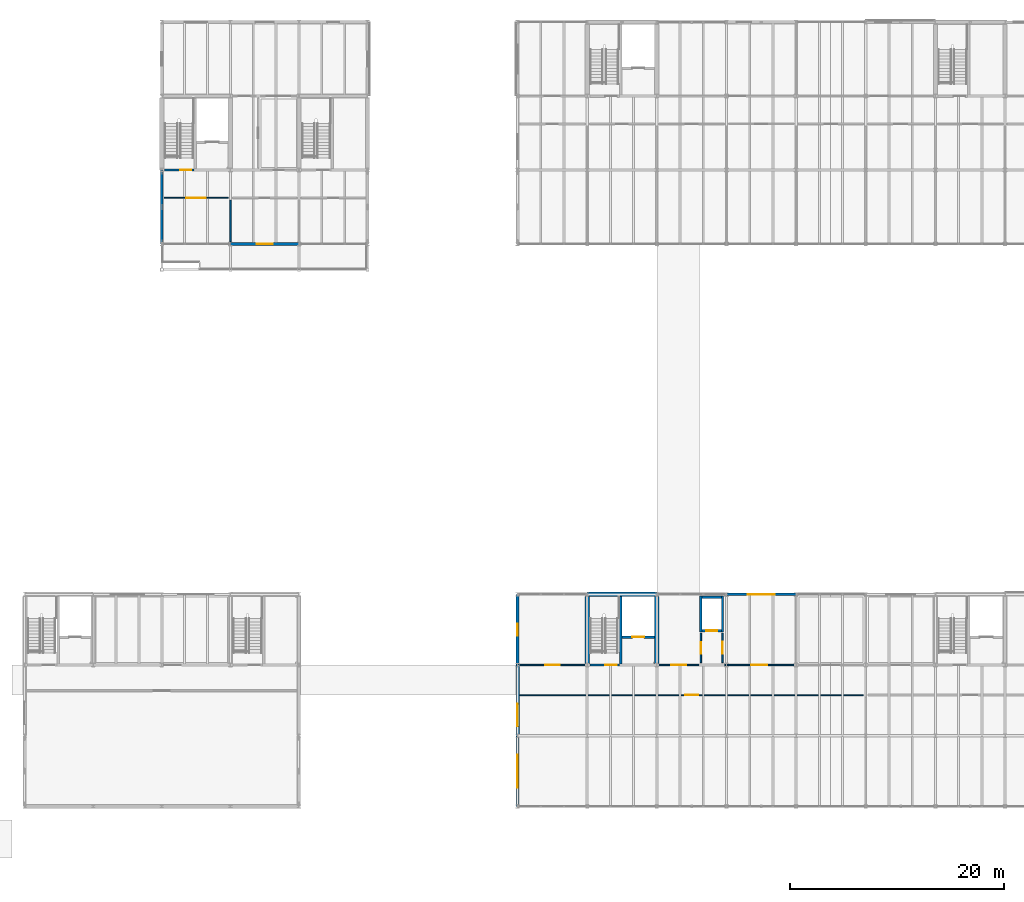
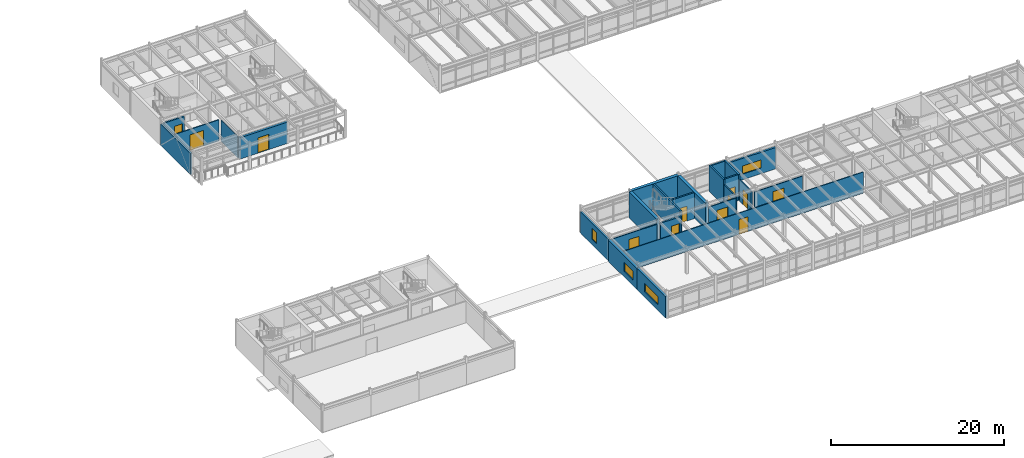
# One storey, part 38 of 49: 25 walls, 12 doors, 4 windows, 16 openings.
"""IFC4 building model written with IfcOpenShell, lengths in metres."""

from ifc_helpers import new_model, si_unit, direction, frame, frame_2d, origin, place, context, subcontext, project, spatial, rectangle, extrude, material, layer, layer_set, type_object, element, fill, save


model = new_model("IFC4")

# Units and contexts
model_context = context("Model", 3, precision=1e-05, world=origin(), true_north=direction((0.0, 1.0)))
body_context = subcontext(model_context, "Body", "Model", "MODEL_VIEW")
ifc_project = project(units=[si_unit("LENGTHUNIT", "METRE"), si_unit("AREAUNIT", "SQUARE_METRE"), si_unit("VOLUMEUNIT", "CUBIC_METRE"), si_unit("PLANEANGLEUNIT", "RADIAN"), si_unit("MASSUNIT", "GRAM", prefix="KILO")], contexts=[model_context])

# Site, building, storey
site_placement = place(None, origin())
site = spatial("IfcSite", under=ifc_project, at=site_placement, CompositionType="ELEMENT")
building_placement = place(site_placement, origin())
building = spatial("IfcBuilding", under=site, at=building_placement, Name="Trelmorton Wharf Fire Station", CompositionType="ELEMENT")
storey_placement = place(building_placement, frame((0.0, 0.0, 9.60009765625)))
storey = spatial("IfcBuildingStorey", under=building, at=storey_placement, Name="L02", CompositionType="ELEMENT", Elevation=9.60009765625)

# Wall
ifc_material_1 = material(Name="Precast concrete 45 MPa", Category="concrete")
ifc_layer_1 = layer(ifc_material_1, 0.22998046875)
ifc_layer_set_1 = layer_set([ifc_layer_1], Name="Precast concrete 45 MPa")
wall_type_1 = type_object("IfcWallType", Name="EW_PREC_230", PredefinedType="SOLIDWALL", material=ifc_layer_set_1)
wall_1_placement = place(storey_placement, frame((70.800048828125, 60.304931640625, 0.0), z_axis=(0.0, 0.0, 1.0), x_axis=(0.0, 1.0, 0.0)))
element("IfcWall", 1, at=wall_1_placement, inside=storey, type_object=wall_type_1, Name="EW-V2-L02-0174", PredefinedType="SOLIDWALL", context=body_context, shape_type="SweptSolid", body=[
    extrude(rectangle(XDim=6.89013671875, YDim=0.22998046875, at=frame_2d((3.445068359375, 0.0))), origin(), (0.0, 0.0, 1.0), 3.02001953125),
])

# Wall, opening, window
ifc_layer_2 = layer(ifc_material_1, 0.25)
ifc_layer_set_2 = layer_set([ifc_layer_2], Name="Precast concrete 45 MPa")
wall_type_2 = type_object("IfcWallType", Name="EW_PREC_250", PredefinedType="SOLIDWALL", material=ifc_layer_set_2)
wall_2_placement = place(storey_placement, frame((123.5048828125, 27.60009765625, 0.0), z_axis=(0.0, 0.0, 1.0), x_axis=(1.0, 0.0, 0.0)))
wall_2 = element("IfcWall", 2, at=wall_2_placement, inside=storey, type_object=wall_type_2, Name="EW-V5-L02-0091", PredefinedType="SOLIDWALL", context=body_context, shape_type="SweptSolid", body=[
    extrude(rectangle(XDim=6.490234375, YDim=0.25, at=frame_2d((3.2451171875, 0.0))), origin(), (0.0, 0.0, 1.0), 3.02001953125),
])
opening_1_placement = place(wall_2_placement, frame((1.9951171875, 0.0, 0.800048828125)))
opening_1 = element("IfcOpeningElement", 3, at=opening_1_placement, cuts=wall_2, Name="Opening W26", PredefinedType="OPENING", context=body_context, shape_type="SweptSolid", body=[
    extrude(rectangle(XDim=2.5, YDim=1.14990234375, at=frame_2d((1.25, 0.574951171875))), frame((0.0, 0.135009765625, 0.0), z_axis=(0.0, -1.0, 0.0), x_axis=(1.0, 0.0, 0.0)), (0.0, 0.0, 1.0), 0.27001953125),
])
ifc_material_2 = material(Name="Tempered low-E double glazing", Category="glass")
window_type_1 = type_object("IfcWindowType", Name="WIN_W26", PartitioningType="TRIPLE_PANEL_VERTICAL", PredefinedType="WINDOW", material=ifc_material_2)
window_1_placement = place(opening_1_placement, origin())
window_1 = element("IfcWindow", 4, at=window_1_placement, inside=storey, type_object=window_type_1, Name="WN-V5-L02-0041", OverallHeight=1.14990234375, OverallWidth=2.5, PartitioningType="TRIPLE_PANEL_VERTICAL", PredefinedType="WINDOW", context=body_context, shape_type="SweptSolid", body=[
    extrude(rectangle(XDim=2.5, YDim=1.14990234375, at=frame_2d((1.25, 0.574951171875))), frame((0.0, 0.030029296875, 0.0), z_axis=(0.0, -1.0, 0.0), x_axis=(1.0, 0.0, 0.0)), (0.0, 0.0, 1.0), 0.06005859375),
])
fill(opening_1, window_1)

wall_3_placement = place(storey_placement, frame((104.0, 21.0048828125, 0.0), z_axis=(0.0, 0.0, 1.0), x_axis=(0.0, 1.0, 0.0)))
wall_3 = element("IfcWall", 5, at=wall_3_placement, inside=storey, type_object=wall_type_2, Name="EW-V5-L02-0097", PredefinedType="SOLIDWALL", context=body_context, shape_type="SweptSolid", body=[
    extrude(rectangle(XDim=6.590087890625, YDim=0.25, at=frame_2d((3.294921875, 0.0))), origin(), (0.0, 0.0, 1.0), 3.02001953125),
])
opening_2_placement = place(wall_3_placement, frame((2.7451171875, 0.0, 0.800048828125)))
opening_2 = element("IfcOpeningElement", 6, at=opening_2_placement, cuts=wall_3, Name="Opening W33", PredefinedType="OPENING", context=body_context, shape_type="SweptSolid", body=[
    extrude(rectangle(XDim=1.10009765625, YDim=1.5, at=frame_2d((0.550048828125, 0.75))), frame((0.0, 0.135009765625, 0.0), z_axis=(0.0, -1.0, 0.0), x_axis=(1.0, 0.0, 0.0)), (0.0, 0.0, 1.0), 0.27001953125),
])
window_type_2 = type_object("IfcWindowType", Name="WIN_W33", PartitioningType="SINGLE_PANEL", PredefinedType="WINDOW", material=ifc_material_2)
window_2_placement = place(opening_2_placement, origin())
window_2 = element("IfcWindow", 7, at=window_2_placement, inside=storey, type_object=window_type_2, Name="WN-V5-L02-0047", OverallHeight=1.5, OverallWidth=1.10009765625, PartitioningType="SINGLE_PANEL", PredefinedType="WINDOW", context=body_context, shape_type="SweptSolid", body=[
    extrude(rectangle(XDim=1.10009765625, YDim=1.5, at=frame_2d((0.550048828125, 0.75))), frame((0.0, 0.030029296875, 0.0), z_axis=(0.0, -1.0, 0.0), x_axis=(1.0, 0.0, 0.0)), (0.0, 0.0, 1.0), 0.06005859375),
])
fill(opening_2, window_2)

# Wall, opening, door
ifc_layer_3 = layer(ifc_material_1, 0.2900390625)
ifc_layer_set_3 = layer_set([ifc_layer_3], Name="Precast concrete 45 MPa")
wall_type_3 = type_object("IfcWallType", Name="EW_TERR_290", PredefinedType="SOLIDWALL", material=ifc_layer_set_3)
wall_4_placement = place(storey_placement, frame((83.594970703125, 60.300048828125, 0.0), z_axis=(0.0, 0.0, 1.0), x_axis=(-1.0, 0.0, 0.0)))
wall_4 = element("IfcWall", 8, at=wall_4_placement, inside=storey, type_object=wall_type_3, Name="EW-V2-L02-0171", PredefinedType="SOLIDWALL", context=body_context, shape_type="SweptSolid", body=[
    extrude(rectangle(XDim=6.389892578125, YDim=0.2900390625, at=frame_2d((3.19482421875, 0.0))), origin(), (0.0, 0.0, 1.0), 3.02001953125),
])
opening_3_placement = place(wall_4_placement, frame((2.455078125, 0.0, 0.0)))
opening_3 = element("IfcOpeningElement", 9, at=opening_3_placement, cuts=wall_4, Name="Opening TD-027", PredefinedType="OPENING", context=body_context, shape_type="SweptSolid", body=[
    extrude(rectangle(XDim=1.47998046875, YDim=2.159912109375, at=frame_2d((0.739990234375, 1.080078125))), frame((0.0, 0.155029296875, 0.0), z_axis=(0.0, -1.0, 0.0), x_axis=(1.0, 0.0, 0.0)), (0.0, 0.0, 1.0), 0.31005859375),
])
ifc_material_3 = material(Name="Anodised aluminium AW-6063", Category="aluminium")
door_type_1 = type_object("IfcDoorType", Name="DR_TER_DBL_148", OperationType="DOUBLE_DOOR_SINGLE_SWING", PredefinedType="DOOR", material=ifc_material_3)
door_1_placement = place(opening_3_placement, origin())
door_1 = element("IfcDoor", 10, at=door_1_placement, inside=storey, type_object=door_type_1, Name="Terrace Door TD-027", OperationType="DOUBLE_DOOR_SINGLE_SWING", OverallHeight=2.159912109375, OverallWidth=1.47998046875, PredefinedType="DOOR", context=body_context, shape_type="SweptSolid", body=[
    extrude(rectangle(XDim=1.47998046875, YDim=2.159912109375, at=frame_2d((0.739990234375, 1.080078125))), frame((0.0, 0.02490234375, 0.0), z_axis=(0.0, -1.0, 0.0), x_axis=(1.0, 0.0, 0.0)), (0.0, 0.0, 1.0), 0.050048828125),
])
fill(opening_3, door_1)

# Wall, opening, window
ifc_layer_4 = layer(ifc_material_1, 0.31005859375)
ifc_layer_set_4 = layer_set([ifc_layer_4], Name="Precast concrete 45 MPa")
wall_type_4 = type_object("IfcWallType", Name="EW_TERR_310", PredefinedType="SOLIDWALL", material=ifc_layer_set_4)
wall_5_placement = place(storey_placement, frame((104.0, 7.804931640625, 0.0), z_axis=(0.0, 0.0, 1.0), x_axis=(0.0, 1.0, 0.0)))
wall_5 = element("IfcWall", 11, at=wall_5_placement, inside=storey, type_object=wall_type_4, Name="EW-V5-L02-0094", PredefinedType="SOLIDWALL", context=body_context, shape_type="SweptSolid", body=[
    extrude(rectangle(XDim=6.590087890625, YDim=0.31005859375, at=frame_2d((3.294921875, 0.0))), origin(), (0.0, 0.0, 1.0), 3.02001953125),
])
opening_4_placement = place(wall_5_placement, frame((1.7451171875, 0.0, 0.800048828125)))
opening_4 = element("IfcOpeningElement", 12, at=opening_4_placement, cuts=wall_5, Name="Opening W29", PredefinedType="OPENING", context=body_context, shape_type="SweptSolid", body=[
    extrude(rectangle(XDim=3.10009765625, YDim=1.14990234375, at=frame_2d((1.550048828125, 0.574951171875))), frame((0.0, 0.1650390625, 0.0), z_axis=(0.0, -1.0, 0.0), x_axis=(1.0, 0.0, 0.0)), (0.0, 0.0, 1.0), 0.330078125),
])
window_type_3 = type_object("IfcWindowType", Name="WIN_W29", PartitioningType="TRIPLE_PANEL_VERTICAL", PredefinedType="WINDOW", material=ifc_material_2)
window_3_placement = place(opening_4_placement, origin())
window_3 = element("IfcWindow", 13, at=window_3_placement, inside=storey, type_object=window_type_3, Name="WN-V5-L02-0044", OverallHeight=1.14990234375, OverallWidth=3.10009765625, PartitioningType="TRIPLE_PANEL_VERTICAL", PredefinedType="WINDOW", context=body_context, shape_type="SweptSolid", body=[
    extrude(rectangle(XDim=3.10009765625, YDim=1.14990234375, at=frame_2d((1.550048828125, 0.574951171875))), frame((0.0, 0.030029296875, 0.0), z_axis=(0.0, -1.0, 0.0), x_axis=(1.0, 0.0, 0.0)), (0.0, 0.0, 1.0), 0.06005859375),
])
fill(opening_4, window_3)

ifc_layer_5 = layer(ifc_material_1, 0.330078125)
ifc_layer_set_5 = layer_set([ifc_layer_5], Name="Precast concrete 45 MPa")
wall_type_5 = type_object("IfcWallType", Name="EW_TERR_330", PredefinedType="SOLIDWALL", material=ifc_layer_set_5)
wall_6_placement = place(storey_placement, frame((104.0, 14.405029296875, 0.0), z_axis=(0.0, 0.0, 1.0), x_axis=(0.0, 1.0, 0.0)))
wall_6 = element("IfcWall", 14, at=wall_6_placement, inside=storey, type_object=wall_type_5, Name="EW-V5-L02-0095", PredefinedType="SOLIDWALL", context=body_context, shape_type="SweptSolid", body=[
    extrude(rectangle(XDim=6.590087890625, YDim=0.330078125, at=frame_2d((3.294921875, 0.0))), origin(), (0.0, 0.0, 1.0), 3.02001953125),
])
opening_5_placement = place(wall_6_placement, frame((0.862548828125, 0.0, 0.800048828125)))
opening_5 = element("IfcOpeningElement", 15, at=opening_5_placement, cuts=wall_6, Name="Opening W31", PredefinedType="OPENING", context=body_context, shape_type="SweptSolid", body=[
    extrude(rectangle(XDim=2.10009765625, YDim=1.25, at=frame_2d((1.050048828125, 0.625))), frame((0.0, 0.175048828125, 0.0), z_axis=(0.0, -1.0, 0.0), x_axis=(1.0, 0.0, 0.0)), (0.0, 0.0, 1.0), 0.35009765625),
])
window_type_4 = type_object("IfcWindowType", Name="WIN_W31", PartitioningType="DOUBLE_PANEL_VERTICAL", PredefinedType="WINDOW", material=ifc_material_2)
window_4_placement = place(opening_5_placement, origin())
window_4 = element("IfcWindow", 16, at=window_4_placement, inside=storey, type_object=window_type_4, Name="WN-V5-L02-0045", OverallHeight=1.25, OverallWidth=2.10009765625, PartitioningType="DOUBLE_PANEL_VERTICAL", PredefinedType="WINDOW", context=body_context, shape_type="SweptSolid", body=[
    extrude(rectangle(XDim=2.10009765625, YDim=1.25, at=frame_2d((1.050048828125, 0.625))), frame((0.0, 0.030029296875, 0.0), z_axis=(0.0, -1.0, 0.0), x_axis=(1.0, 0.0, 0.0)), (0.0, 0.0, 1.0), 0.06005859375),
])
fill(opening_5, window_4)

# Wall, opening, door
ifc_material_4 = material(Name="Gypsum plasterboard partition")
ifc_layer_6 = layer(ifc_material_4, 0.14990234375)
ifc_layer_set_6 = layer_set([ifc_layer_6], Name="Gypsum plasterboard partition")
wall_type_6 = type_object("IfcWallType", Name="IW_ACOU_150", PredefinedType="PARTITIONING", material=ifc_layer_set_6)
wall_7_placement = place(storey_placement, frame((121.110107421875, 21.219970703125, 0.0), z_axis=(0.0, 0.0, 1.0), x_axis=(0.0, 1.0, 0.0)))
wall_7 = element("IfcWall", 17, at=wall_7_placement, inside=storey, type_object=wall_type_6, Name="IW-L02-0128", PredefinedType="PARTITIONING", context=body_context, shape_type="SweptSolid", body=[
    extrude(rectangle(XDim=2.760009765625, YDim=0.14990234375, at=frame_2d((1.3798828125, 0.0))), origin(), (0.0, 0.0, 1.0), 3.0),
])
opening_6_placement = place(wall_7_placement, frame((0.844970703125, 0.0, 0.0)))
opening_6 = element("IfcOpeningElement", 18, at=opening_6_placement, cuts=wall_7, Name="Opening D-087", PredefinedType="OPENING", context=body_context, shape_type="SweptSolid", body=[
    extrude(rectangle(XDim=1.070068359375, YDim=2.080078125, at=frame_2d((0.53515625, 1.0400390625))), frame((0.0, 0.0849609375, 0.0), z_axis=(0.0, -1.0, 0.0), x_axis=(1.0, 0.0, 0.0)), (0.0, 0.0, 1.0), 0.169921875),
])
ifc_material_5 = material(Name="Acoustic timber panelling", Category="wood")
door_type_2 = type_object("IfcDoorType", Name="DR_INT_107", OperationType="NOTDEFINED", PredefinedType="DOOR", material=ifc_material_5)
door_2_placement = place(opening_6_placement, origin())
door_2 = element("IfcDoor", 19, at=door_2_placement, inside=storey, type_object=door_type_2, Name="Interior Door D-087", OperationType="SINGLE_SWING_RIGHT", OverallHeight=2.080078125, OverallWidth=1.070068359375, PredefinedType="DOOR", context=body_context, shape_type="SweptSolid", body=[
    extrude(rectangle(XDim=1.070068359375, YDim=2.080078125, at=frame_2d((0.53515625, 1.0400390625))), frame((0.0, 0.02490234375, 0.0), z_axis=(0.0, -1.0, 0.0), x_axis=(1.0, 0.0, 0.0)), (0.0, 0.0, 1.0), 0.050048828125),
])
fill(opening_6, door_2)

# Wall
ifc_material_6 = material(Name="Concrete 40 MPa", Category="concrete")
ifc_layer_7 = layer(ifc_material_6, 0.219970703125)
ifc_layer_set_7 = layer_set([ifc_layer_7], Name="Concrete 40 MPa")
wall_type_7 = type_object("IfcWallType", Name="IW_CORE_220", PredefinedType="SOLIDWALL", material=ifc_layer_set_7)
wall_8_placement = place(storey_placement, frame((113.6201171875, 21.1201171875, 0.0), z_axis=(0.0, 0.0, 1.0), x_axis=(0.0, 1.0, 0.0)))
element("IfcWall", 20, at=wall_8_placement, inside=storey, type_object=wall_type_7, Name="IW-C3-DIV-L02", PredefinedType="SOLIDWALL", context=body_context, shape_type="SweptSolid", body=[
    extrude(rectangle(XDim=6.2548828125, YDim=0.219970703125, at=frame_2d((3.12744140625, 0.0))), origin(), (0.0, 0.0, 1.0), 3.659912109375),
])

# Wall, opening, door
wall_9_placement = place(storey_placement, frame((110.760009765625, 21.0, 0.0), z_axis=(0.0, 0.0, 1.0), x_axis=(1.0, 0.0, 0.0)))
wall_9 = element("IfcWall", 21, at=wall_9_placement, inside=storey, type_object=wall_type_7, Name="IW-C3-SF-L02", PredefinedType="SOLIDWALL", context=body_context, shape_type="SweptSolid", body=[
    extrude(rectangle(XDim=2.739990234375, YDim=0.219970703125, at=frame_2d((1.3701171875, 0.0))), origin(), (0.0, 0.0, 1.0), 3.02001953125),
])
opening_7_placement = place(wall_9_placement, frame((1.43994140625, 0.0, 0.0)))
opening_7 = element("IfcOpeningElement", 22, at=opening_7_placement, cuts=wall_9, Name="Opening FD-013", PredefinedType="OPENING", context=body_context, shape_type="SweptSolid", body=[
    extrude(rectangle(XDim=1.06005859375, YDim=2.10009765625, at=frame_2d((0.530029296875, 1.050048828125))), frame((0.0, 0.1201171875, 0.0), z_axis=(0.0, -1.0, 0.0), x_axis=(1.0, 0.0, 0.0)), (0.0, 0.0, 1.0), 0.239990234375),
])
ifc_material_7 = material(Name="Stainless steel 316 marine grade", Category="steel")
door_type_3 = type_object("IfcDoorType", Name="DR_FIRE_106", OperationType="NOTDEFINED", PredefinedType="DOOR", material=ifc_material_7)
door_3_placement = place(opening_7_placement, origin())
door_3 = element("IfcDoor", 23, at=door_3_placement, inside=storey, type_object=door_type_3, Name="Stair Fire Door FD-013", OperationType="SINGLE_SWING_RIGHT", OverallHeight=2.10009765625, OverallWidth=1.06005859375, PredefinedType="DOOR", context=body_context, shape_type="SweptSolid", body=[
    extrude(rectangle(XDim=1.06005859375, YDim=2.10009765625, at=frame_2d((0.530029296875, 1.050048828125))), frame((0.0, 0.02490234375, 0.0), z_axis=(0.0, -1.0, 0.0), x_axis=(1.0, 0.0, 0.0)), (0.0, 0.0, 1.0), 0.050048828125),
])
fill(opening_7, door_3)

wall_10_placement = place(storey_placement, frame((113.739990234375, 23.60009765625, 0.0), z_axis=(0.0, 0.0, 1.0), x_axis=(1.0, 0.0, 0.0)))
wall_10 = element("IfcWall", 24, at=wall_10_placement, inside=storey, type_object=wall_type_7, Name="IW-C3-LSH-L02", PredefinedType="SOLIDWALL", context=body_context, shape_type="SweptSolid", body=[
    extrude(rectangle(XDim=3.034912109375, YDim=0.219970703125, at=frame_2d((1.517578125, 0.0))), origin(), (0.0, 0.0, 1.0), 3.659912109375),
])
opening_8_placement = place(wall_10_placement, frame((0.967529296875, 0.0, 0.0)))
opening_8 = element("IfcOpeningElement", 25, at=opening_8_placement, cuts=wall_10, Name="Opening LD-009", PredefinedType="OPENING", context=body_context, shape_type="SweptSolid", body=[
    extrude(rectangle(XDim=1.10009765625, YDim=2.10009765625, at=frame_2d((0.550048828125, 1.050048828125))), frame((0.0, 0.1201171875, 0.0), z_axis=(0.0, -1.0, 0.0), x_axis=(1.0, 0.0, 0.0)), (0.0, 0.0, 1.0), 0.239990234375),
])
door_type_4 = type_object("IfcDoorType", Name="DR_LIFT_110", OperationType="DOUBLE_DOOR_SLIDING", PredefinedType="DOOR", material=ifc_material_7)
door_4_placement = place(opening_8_placement, origin())
door_4 = element("IfcDoor", 26, at=door_4_placement, inside=storey, type_object=door_type_4, Name="Lift Landing Door LD-009", OperationType="DOUBLE_DOOR_SLIDING", OverallHeight=2.10009765625, OverallWidth=1.10009765625, PredefinedType="DOOR", context=body_context, shape_type="SweptSolid", body=[
    extrude(rectangle(XDim=1.10009765625, YDim=2.10009765625, at=frame_2d((0.550048828125, 1.050048828125))), frame((0.0, 0.02490234375, 0.0), z_axis=(0.0, -1.0, 0.0), x_axis=(1.0, 0.0, 0.0)), (0.0, 0.0, 1.0), 0.050048828125),
])
fill(opening_8, door_4)

# Walls
for number, where, z_axis, x_axis, name in (
    (27, (121.110107421875, 24.090087890625, 0.0), (0.0, 0.0, 1.0), (0.0, 1.0, 0.0), "IW-LF3-W-L02"),
    (28, (123.1298828125, 24.090087890625, 0.0), (0.0, 0.0, 1.0), (0.0, 1.0, 0.0), "IW-LF3-E-L02"),
):
    element("IfcWall", number, at=place(storey_placement, frame(where, z_axis=z_axis, x_axis=x_axis)), inside=storey, type_object=wall_type_7, Name=name, PredefinedType="SOLIDWALL", context=body_context, shape_type="SweptSolid", body=[
        extrude(rectangle(XDim=3.35986328125, YDim=0.219970703125, at=frame_2d((1.679931640625, 0.0))), origin(), (0.0, 0.0, 1.0), 3.659912109375),
    ])
wall_11_placement = place(storey_placement, frame((121.219970703125, 27.340087890625, 0.0), z_axis=(0.0, 0.0, 1.0), x_axis=(1.0, 0.0, 0.0)))
element("IfcWall", 29, at=wall_11_placement, inside=storey, type_object=wall_type_7, Name="IW-LF3-N-L02", PredefinedType="SOLIDWALL", context=body_context, shape_type="SweptSolid", body=[
    extrude(rectangle(XDim=1.800048828125, YDim=0.219970703125, at=frame_2d((0.89990234375, 0.0))), origin(), (0.0, 0.0, 1.0), 3.659912109375),
])

# Wall, opening, door
wall_12_placement = place(storey_placement, frame((121.219970703125, 24.199951171875, 0.0), z_axis=(0.0, 0.0, 1.0), x_axis=(1.0, 0.0, 0.0)))
wall_12 = element("IfcWall", 30, at=wall_12_placement, inside=storey, type_object=wall_type_7, Name="IW-LF3-S-L02", PredefinedType="SOLIDWALL", context=body_context, shape_type="SweptSolid", body=[
    extrude(rectangle(XDim=1.800048828125, YDim=0.219970703125, at=frame_2d((0.89990234375, 0.0))), origin(), (0.0, 0.0, 1.0), 3.659912109375),
])
opening_9_placement = place(wall_12_placement, frame((0.39990234375, 0.0, 0.0)))
opening_9 = element("IfcOpeningElement", 31, at=opening_9_placement, cuts=wall_12, Name="Opening LD-010", PredefinedType="OPENING", context=body_context, shape_type="SweptSolid", body=[
    extrude(rectangle(XDim=1.0, YDim=2.10009765625, at=frame_2d((0.5, 1.050048828125))), frame((0.0, 0.1201171875, 0.0), z_axis=(0.0, -1.0, 0.0), x_axis=(1.0, 0.0, 0.0)), (0.0, 0.0, 1.0), 0.239990234375),
])
door_type_5 = type_object("IfcDoorType", Name="DR_LIFT_100", OperationType="DOUBLE_DOOR_SLIDING", PredefinedType="DOOR", material=ifc_material_7)
door_5_placement = place(opening_9_placement, origin())
door_5 = element("IfcDoor", 32, at=door_5_placement, inside=storey, type_object=door_type_5, Name="Lift Landing Door LD-010", OperationType="DOUBLE_DOOR_SLIDING", OverallHeight=2.10009765625, OverallWidth=1.0, PredefinedType="DOOR", context=body_context, shape_type="SweptSolid", body=[
    extrude(rectangle(XDim=1.0, YDim=2.10009765625, at=frame_2d((0.5, 1.050048828125))), frame((0.0, 0.02490234375, 0.0), z_axis=(0.0, -1.0, 0.0), x_axis=(1.0, 0.0, 0.0)), (0.0, 0.0, 1.0), 0.050048828125),
])
fill(opening_9, door_5)

wall_13_placement = place(storey_placement, frame((71.06005859375, 67.199951171875, 0.0), z_axis=(0.0, 0.0, 1.0), x_axis=(1.0, 0.0, 0.0)))
wall_13 = element("IfcWall", 33, at=wall_13_placement, inside=storey, type_object=wall_type_7, Name="IW-C6-SF-L02", PredefinedType="SOLIDWALL", context=body_context, shape_type="SweptSolid", body=[
    extrude(rectangle(XDim=2.739990234375, YDim=0.219970703125, at=frame_2d((1.3701171875, 0.0))), origin(), (0.0, 0.0, 1.0), 3.02001953125),
])
opening_10_placement = place(wall_13_placement, frame((1.43994140625, 0.0, 0.0)))
opening_10 = element("IfcOpeningElement", 34, at=opening_10_placement, cuts=wall_13, Name="Opening FD-030", PredefinedType="OPENING", context=body_context, shape_type="SweptSolid", body=[
    extrude(rectangle(XDim=1.06005859375, YDim=2.10009765625, at=frame_2d((0.530029296875, 1.050048828125))), frame((0.0, 0.1201171875, 0.0), z_axis=(0.0, -1.0, 0.0), x_axis=(1.0, 0.0, 0.0)), (0.0, 0.0, 1.0), 0.239990234375),
])
door_6_placement = place(opening_10_placement, origin())
door_6 = element("IfcDoor", 35, at=door_6_placement, inside=storey, type_object=door_type_3, Name="Stair Fire Door FD-030", OperationType="SINGLE_SWING_RIGHT", OverallHeight=2.10009765625, OverallWidth=1.06005859375, PredefinedType="DOOR", context=body_context, shape_type="SweptSolid", body=[
    extrude(rectangle(XDim=1.06005859375, YDim=2.10009765625, at=frame_2d((0.530029296875, 1.050048828125))), frame((0.0, 0.02490234375, 0.0), z_axis=(0.0, -1.0, 0.0), x_axis=(1.0, 0.0, 0.0)), (0.0, 0.0, 1.0), 0.050048828125),
])
fill(opening_10, door_6)

ifc_layer_8 = layer(ifc_material_4, 0.10009765625)
ifc_layer_set_8 = layer_set([ifc_layer_8], Name="Gypsum plasterboard partition")
wall_type_8 = type_object("IfcWallType", Name="IW_PART_100", PredefinedType="PARTITIONING", material=ifc_layer_set_8)
wall_14_placement = place(storey_placement, frame((104.219970703125, 18.199951171875, 0.0), z_axis=(0.0, 0.0, 1.0), x_axis=(1.0, 0.0, 0.0)))
wall_14 = element("IfcWall", 36, at=wall_14_placement, inside=storey, type_object=wall_type_8, Name="IW-L02-0133", PredefinedType="PARTITIONING", context=body_context, shape_type="SweptSolid", body=[
    extrude(rectangle(XDim=32.06005859375, YDim=0.10009765625, at=frame_2d((16.030029296875, 0.0))), origin(), (0.0, 0.0, 1.0), 3.0),
])
opening_11_placement = place(wall_14_placement, frame((15.4150390625, 0.0, 0.0)))
opening_11 = element("IfcOpeningElement", 37, at=opening_11_placement, cuts=wall_14, Name="Opening D-091", PredefinedType="OPENING", context=body_context, shape_type="SweptSolid", body=[
    extrude(rectangle(XDim=1.22998046875, YDim=2.080078125, at=frame_2d((0.614990234375, 1.0400390625))), frame((0.0, 0.06005859375, 0.0), z_axis=(0.0, -1.0, 0.0), x_axis=(1.0, 0.0, 0.0)), (0.0, 0.0, 1.0), 0.1201171875),
])
door_type_6 = type_object("IfcDoorType", Name="DR_INT_123", OperationType="NOTDEFINED", PredefinedType="DOOR", material=ifc_material_5)
door_7_placement = place(opening_11_placement, origin())
door_7 = element("IfcDoor", 38, at=door_7_placement, inside=storey, type_object=door_type_6, Name="Interior Door D-091", OperationType="SINGLE_SWING_RIGHT", OverallHeight=2.080078125, OverallWidth=1.22998046875, PredefinedType="DOOR", context=body_context, shape_type="SweptSolid", body=[
    extrude(rectangle(XDim=1.22998046875, YDim=2.080078125, at=frame_2d((0.614990234375, 1.0400390625))), frame((0.0, 0.02490234375, 0.0), z_axis=(0.0, -1.0, 0.0), x_axis=(1.0, 0.0, 0.0)), (0.0, 0.0, 1.0), 0.050048828125),
])
fill(opening_11, door_7)

ifc_layer_9 = layer(ifc_material_4, 0.110107421875)
ifc_layer_set_9 = layer_set([ifc_layer_9], Name="Gypsum plasterboard partition")
wall_type_9 = type_object("IfcWallType", Name="IW_PART_110", PredefinedType="PARTITIONING", material=ifc_layer_set_9)
wall_15_placement = place(storey_placement, frame((123.35009765625, 21.0, 0.0), z_axis=(0.0, 0.0, 1.0), x_axis=(1.0, 0.0, 0.0)))
wall_15 = element("IfcWall", 39, at=wall_15_placement, inside=storey, type_object=wall_type_9, Name="IW-L02-0139", PredefinedType="PARTITIONING", context=body_context, shape_type="SweptSolid", body=[
    extrude(rectangle(XDim=6.429931640625, YDim=0.110107421875, at=frame_2d((3.21484375, 0.0))), origin(), (0.0, 0.0, 1.0), 3.0),
])
opening_12_placement = place(wall_15_placement, frame((2.47509765625, 0.0, 0.0)))
opening_12 = element("IfcOpeningElement", 40, at=opening_12_placement, cuts=wall_15, Name="Opening D-096", PredefinedType="OPENING", context=body_context, shape_type="SweptSolid", body=[
    extrude(rectangle(XDim=1.47998046875, YDim=2.179931640625, at=frame_2d((0.739990234375, 1.08984375))), frame((0.0, 0.06494140625, 0.0), z_axis=(0.0, -1.0, 0.0), x_axis=(1.0, 0.0, 0.0)), (0.0, 0.0, 1.0), 0.130126953125),
])
door_type_7 = type_object("IfcDoorType", Name="DR_INT_148", OperationType="DOUBLE_DOOR_SINGLE_SWING", PredefinedType="DOOR", material=ifc_material_5)
door_8_placement = place(opening_12_placement, origin())
door_8 = element("IfcDoor", 41, at=door_8_placement, inside=storey, type_object=door_type_7, Name="Interior Door D-096", OperationType="DOUBLE_DOOR_SINGLE_SWING", OverallHeight=2.179931640625, OverallWidth=1.47998046875, PredefinedType="DOOR", context=body_context, shape_type="SweptSolid", body=[
    extrude(rectangle(XDim=1.47998046875, YDim=2.179931640625, at=frame_2d((0.739990234375, 1.08984375))), frame((0.0, 0.02490234375, 0.0), z_axis=(0.0, -1.0, 0.0), x_axis=(1.0, 0.0, 0.0)), (0.0, 0.0, 1.0), 0.050048828125),
])
fill(opening_12, door_8)

wall_16_placement = place(storey_placement, frame((71.02001953125, 64.60009765625, 0.0), z_axis=(0.0, 0.0, 1.0), x_axis=(1.0, 0.0, 0.0)))
wall_16 = element("IfcWall", 42, at=wall_16_placement, inside=storey, type_object=wall_type_9, Name="IW-L02-0146", PredefinedType="PARTITIONING", context=body_context, shape_type="SweptSolid", body=[
    extrude(rectangle(XDim=5.9599609375, YDim=0.110107421875, at=frame_2d((2.97998046875, 0.0))), origin(), (0.0, 0.0, 1.0), 3.0),
])
opening_13_placement = place(wall_16_placement, frame((2.06005859375, 0.0, 0.0)))
opening_13 = element("IfcOpeningElement", 43, at=opening_13_placement, cuts=wall_16, Name="Opening D-100", PredefinedType="OPENING", context=body_context, shape_type="SweptSolid", body=[
    extrude(rectangle(XDim=1.840087890625, YDim=2.219970703125, at=frame_2d((0.919921875, 1.10986328125))), frame((0.0, 0.06494140625, 0.0), z_axis=(0.0, -1.0, 0.0), x_axis=(1.0, 0.0, 0.0)), (0.0, 0.0, 1.0), 0.130126953125),
])
door_type_8 = type_object("IfcDoorType", Name="DR_INT_184", OperationType="DOUBLE_DOOR_SINGLE_SWING", PredefinedType="DOOR", material=ifc_material_5)
door_9_placement = place(opening_13_placement, origin())
door_9 = element("IfcDoor", 44, at=door_9_placement, inside=storey, type_object=door_type_8, Name="Interior Door D-100", OperationType="DOUBLE_DOOR_SINGLE_SWING", OverallHeight=2.219970703125, OverallWidth=1.840087890625, PredefinedType="DOOR", context=body_context, shape_type="SweptSolid", body=[
    extrude(rectangle(XDim=1.840087890625, YDim=2.219970703125, at=frame_2d((0.919921875, 1.10986328125))), frame((0.0, 0.02490234375, 0.0), z_axis=(0.0, -1.0, 0.0), x_axis=(1.0, 0.0, 0.0)), (0.0, 0.0, 1.0), 0.050048828125),
])
fill(opening_13, door_9)

ifc_layer_10 = layer(ifc_material_4, 0.1298828125)
ifc_layer_set_10 = layer_set([ifc_layer_10], Name="Gypsum plasterboard partition")
wall_type_10 = type_object("IfcWallType", Name="IW_PART_130", PredefinedType="PARTITIONING", material=ifc_layer_set_10)
wall_17_placement = place(storey_placement, frame((104.219970703125, 21.0, 0.0), z_axis=(0.0, 0.0, 1.0), x_axis=(1.0, 0.0, 0.0)))
wall_17 = element("IfcWall", 45, at=wall_17_placement, inside=storey, type_object=wall_type_10, Name="IW-L02-0137", PredefinedType="PARTITIONING", context=body_context, shape_type="SweptSolid", body=[
    extrude(rectangle(XDim=6.06005859375, YDim=0.1298828125, at=frame_2d((3.030029296875, 0.0))), origin(), (0.0, 0.0, 1.0), 3.0),
])
opening_14_placement = place(wall_17_placement, frame((2.35009765625, 0.0, 0.0)))
opening_14 = element("IfcOpeningElement", 46, at=opening_14_placement, cuts=wall_17, Name="Opening D-094", PredefinedType="OPENING", context=body_context, shape_type="SweptSolid", body=[
    extrude(rectangle(XDim=1.360107421875, YDim=2.14990234375, at=frame_2d((0.68017578125, 1.074951171875))), frame((0.0, 0.074951171875, 0.0), z_axis=(0.0, -1.0, 0.0), x_axis=(1.0, 0.0, 0.0)), (0.0, 0.0, 1.0), 0.14990234375),
])
door_type_9 = type_object("IfcDoorType", Name="DR_INT_136", OperationType="DOUBLE_DOOR_SINGLE_SWING", PredefinedType="DOOR", material=ifc_material_5)
door_10_placement = place(opening_14_placement, origin())
door_10 = element("IfcDoor", 47, at=door_10_placement, inside=storey, type_object=door_type_9, Name="Interior Door D-094", OperationType="DOUBLE_DOOR_SINGLE_SWING", OverallHeight=2.14990234375, OverallWidth=1.360107421875, PredefinedType="DOOR", context=body_context, shape_type="SweptSolid", body=[
    extrude(rectangle(XDim=1.360107421875, YDim=2.14990234375, at=frame_2d((0.68017578125, 1.074951171875))), frame((0.0, 0.02490234375, 0.0), z_axis=(0.0, -1.0, 0.0), x_axis=(1.0, 0.0, 0.0)), (0.0, 0.0, 1.0), 0.050048828125),
])
fill(opening_14, door_10)

ifc_layer_11 = layer(ifc_material_4, 0.139892578125)
ifc_layer_set_11 = layer_set([ifc_layer_11], Name="Gypsum plasterboard partition")
wall_type_11 = type_object("IfcWallType", Name="IW_PART_140", PredefinedType="PARTITIONING", material=ifc_layer_set_11)
wall_18_placement = place(storey_placement, frame((123.1298828125, 21.219970703125, 0.0), z_axis=(0.0, 0.0, 1.0), x_axis=(0.0, 1.0, 0.0)))
wall_18 = element("IfcWall", 48, at=wall_18_placement, inside=storey, type_object=wall_type_11, Name="IW-L02-0129", PredefinedType="PARTITIONING", context=body_context, shape_type="SweptSolid", body=[
    extrude(rectangle(XDim=2.760009765625, YDim=0.139892578125, at=frame_2d((1.3798828125, 0.0))), origin(), (0.0, 0.0, 1.0), 3.0),
])
opening_15_placement = place(wall_18_placement, frame((0.824951171875, 0.0, 0.0)))
opening_15 = element("IfcOpeningElement", 49, at=opening_15_placement, cuts=wall_18, Name="Opening D-088", PredefinedType="OPENING", context=body_context, shape_type="SweptSolid", body=[
    extrude(rectangle(XDim=1.110107421875, YDim=2.10009765625, at=frame_2d((0.55517578125, 1.050048828125))), frame((0.0, 0.080078125, 0.0), z_axis=(0.0, -1.0, 0.0), x_axis=(1.0, 0.0, 0.0)), (0.0, 0.0, 1.0), 0.159912109375),
])
door_type_10 = type_object("IfcDoorType", Name="DR_INT_111", OperationType="NOTDEFINED", PredefinedType="DOOR", material=ifc_material_5)
door_11_placement = place(opening_15_placement, origin())
door_11 = element("IfcDoor", 50, at=door_11_placement, inside=storey, type_object=door_type_10, Name="Interior Door D-088", OperationType="SINGLE_SWING_LEFT", OverallHeight=2.10009765625, OverallWidth=1.110107421875, PredefinedType="DOOR", context=body_context, shape_type="SweptSolid", body=[
    extrude(rectangle(XDim=1.110107421875, YDim=2.10009765625, at=frame_2d((0.55517578125, 1.050048828125))), frame((0.0, 0.02490234375, 0.0), z_axis=(0.0, -1.0, 0.0), x_axis=(1.0, 0.0, 0.0)), (0.0, 0.0, 1.0), 0.050048828125),
])
fill(opening_15, door_11)

ifc_layer_12 = layer(ifc_material_4, 0.1201171875)
ifc_layer_set_12 = layer_set([ifc_layer_12], Name="Gypsum plasterboard partition")
wall_type_12 = type_object("IfcWallType", Name="IW_WET_120", PredefinedType="PARTITIONING", material=ifc_layer_set_12)
wall_19_placement = place(storey_placement, frame((117.219970703125, 21.0, 0.0), z_axis=(0.0, 0.0, 1.0), x_axis=(1.0, 0.0, 0.0)))
wall_19 = element("IfcWall", 51, at=wall_19_placement, inside=storey, type_object=wall_type_12, Name="IW-L02-0138", PredefinedType="PARTITIONING", context=body_context, shape_type="SweptSolid", body=[
    extrude(rectangle(XDim=3.669921875, YDim=0.1201171875, at=frame_2d((1.8349609375, 0.0))), origin(), (0.0, 0.0, 1.0), 3.0),
])
opening_16_placement = place(wall_19_placement, frame((1.125, 0.0, 0.0)))
opening_16 = element("IfcOpeningElement", 52, at=opening_16_placement, cuts=wall_19, Name="Opening D-095", PredefinedType="OPENING", context=body_context, shape_type="SweptSolid", body=[
    extrude(rectangle(XDim=1.419921875, YDim=2.14990234375, at=frame_2d((0.7099609375, 1.074951171875))), frame((0.0, 0.070068359375, 0.0), z_axis=(0.0, -1.0, 0.0), x_axis=(1.0, 0.0, 0.0)), (0.0, 0.0, 1.0), 0.14013671875),
])
door_type_11 = type_object("IfcDoorType", Name="DR_INT_142", OperationType="DOUBLE_DOOR_SINGLE_SWING", PredefinedType="DOOR", material=ifc_material_5)
door_12_placement = place(opening_16_placement, origin())
door_12 = element("IfcDoor", 53, at=door_12_placement, inside=storey, type_object=door_type_11, Name="Interior Door D-095", OperationType="DOUBLE_DOOR_SINGLE_SWING", OverallHeight=2.14990234375, OverallWidth=1.419921875, PredefinedType="DOOR", context=body_context, shape_type="SweptSolid", body=[
    extrude(rectangle(XDim=1.419921875, YDim=2.14990234375, at=frame_2d((0.7099609375, 1.074951171875))), frame((0.0, 0.02490234375, 0.0), z_axis=(0.0, -1.0, 0.0), x_axis=(1.0, 0.0, 0.0)), (0.0, 0.0, 1.0), 0.050048828125),
])
fill(opening_16, door_12)

# Walls
wall_20_placement = place(storey_placement, frame((77.199951171875, 60.52001953125, 0.0), z_axis=(0.0, 0.0, 1.0), x_axis=(0.0, 1.0, 0.0)))
element("IfcWall", 54, at=wall_20_placement, inside=storey, type_object=wall_type_12, Name="IW-L02-0145", PredefinedType="PARTITIONING", context=body_context, shape_type="SweptSolid", body=[
    extrude(rectangle(XDim=3.85986328125, YDim=0.1201171875, at=frame_2d((1.929931640625, 0.0))), origin(), (0.0, 0.0, 1.0), 3.0),
])
ifc_material_8 = material(Name="Concrete 50 MPa", Category="concrete")
ifc_layer_13 = layer(ifc_material_8, 0.39990234375)
ifc_layer_set_13 = layer_set([ifc_layer_13], Name="Concrete 50 MPa")
wall_type_13 = type_object("IfcWallType", Name="WL_CORE_400", PredefinedType="SHEAR", material=ifc_layer_set_13)
wall_21_placement = place(storey_placement, frame((110.5, 27.60009765625, 0.0), z_axis=(0.0, 0.0, 1.0), x_axis=(1.0, 0.0, 0.0)))
element("IfcWall", 55, at=wall_21_placement, inside=storey, type_object=wall_type_13, Name="WL-SW-C3-L02-037", PredefinedType="SHEAR", context=body_context, shape_type="SweptSolid", body=[
    extrude(rectangle(XDim=6.5, YDim=0.39990234375, at=frame_2d((3.25, 0.0))), origin(), (0.0, 0.0, 1.0), 3.659912109375),
])
for number, where, z_axis, x_axis, name in (
    (56, (110.5, 21.0, 0.0), (0.0, 0.0, 1.0), (0.0, 1.0, 0.0), "WL-SW-C3-L02-038"),
    (57, (117.0, 21.0, 0.0), (0.0, 0.0, 1.0), (0.0, 1.0, 0.0), "WL-SW-C3-L02-039"),
):
    element("IfcWall", number, at=place(storey_placement, frame(where, z_axis=z_axis, x_axis=x_axis)), inside=storey, type_object=wall_type_13, Name=name, PredefinedType="SHEAR", context=body_context, shape_type="SweptSolid", body=[
        extrude(rectangle(XDim=6.39990234375, YDim=0.39990234375, at=frame_2d((3.199951171875, 0.0))), origin(), (0.0, 0.0, 1.0), 3.659912109375),
    ])

save(model, "model.ifc")
